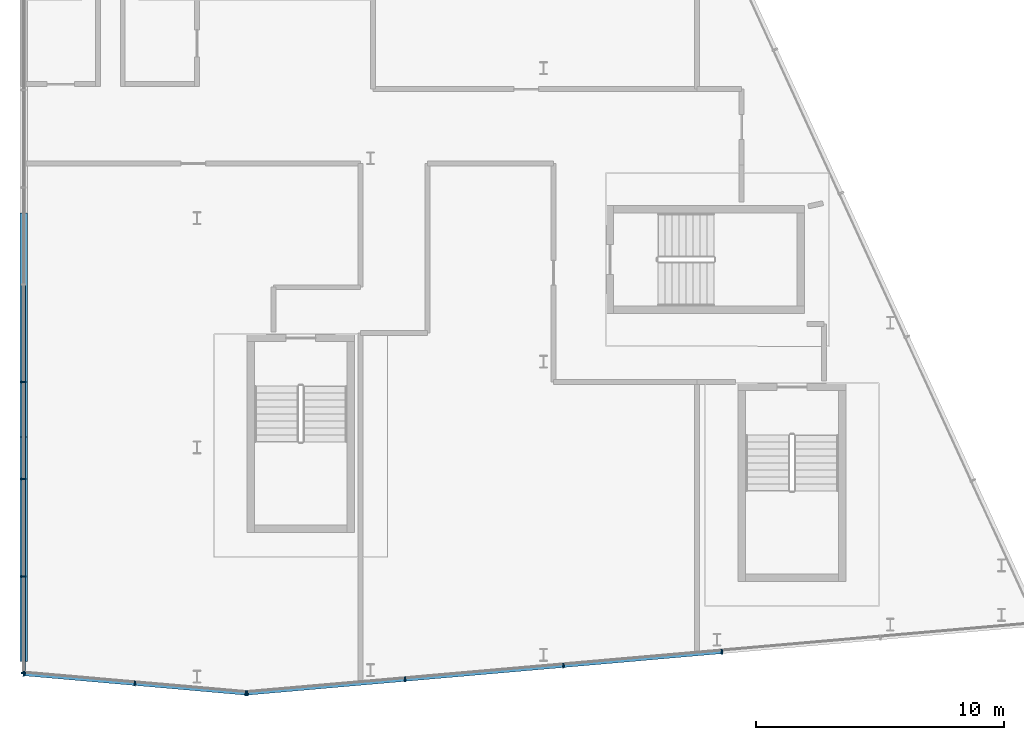
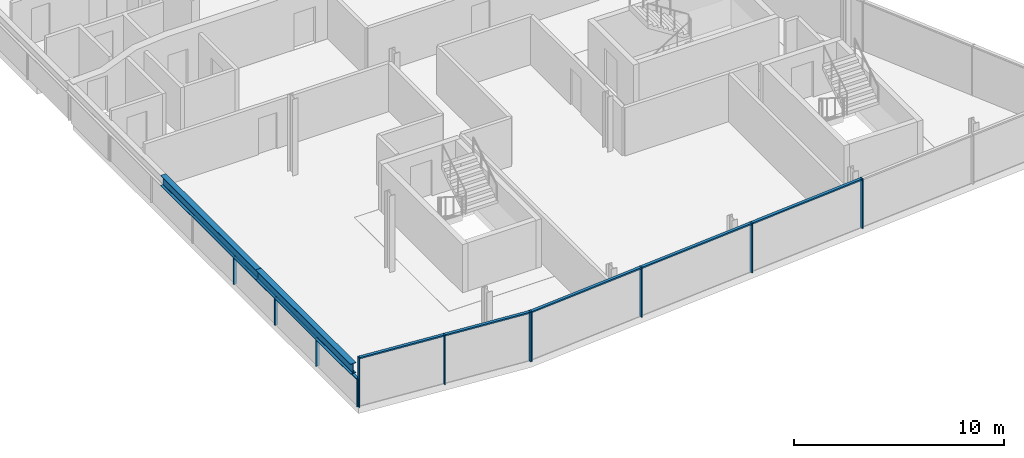
# One storey, part 2 of 10: 20 members, 2 beams, 3 elements without a shape of their own.
"""IFC4 building model written with IfcOpenShell, lengths in metres."""

from ifc_helpers import new_model, si_unit, direction, frame, origin, origin_2d, place, context, subcontext, project, spatial, rectangle, i_section, extrude, material, material_profile, profile_set, type_object, element, aggregate, save


model = new_model("IFC4")

# Units and contexts
model_context = context("Model", 3, precision=1e-05, world=origin(), true_north=direction((0.0, 1.0)))
body_context = subcontext(model_context, "Body", "Model", "MODEL_VIEW")
ifc_project = project(units=[si_unit("LENGTHUNIT", "METRE"), si_unit("AREAUNIT", "SQUARE_METRE"), si_unit("VOLUMEUNIT", "CUBIC_METRE"), si_unit("PLANEANGLEUNIT", "RADIAN"), si_unit("MASSUNIT", "GRAM", prefix="KILO")], contexts=[model_context])

# Site, building, storey
site_placement = place(None, origin())
site = spatial("IfcSite", under=ifc_project, at=site_placement, CompositionType="ELEMENT")
building_placement = place(site_placement, origin())
building = spatial("IfcBuilding", under=site, at=building_placement, Name="Wharfspan Tower", CompositionType="ELEMENT")
storey_placement = place(building_placement, frame((0.0, 0.0, 267.5)))
storey = spatial("IfcBuildingStorey", under=building, at=storey_placement, Name="L68", CompositionType="ELEMENT", Elevation=267.5)

# Curtain wall, members
ifc_material_1 = material(Name="Aluminium 6063-T6", Category="aluminium")
curtain_wall_type_1 = type_object("IfcCurtainWallType", Name="CURTAIN WALL CROWN GABLE", PredefinedType="NOTDEFINED", material=ifc_material_1)
curtain_wall_1_placement = place(storey_placement, origin())
curtain_wall_1 = element("IfcCurtainWall", 1, at=curtain_wall_1_placement, inside=storey, type_object=curtain_wall_type_1, Name="Crown gable glazing", PredefinedType="NOTDEFINED")
ifc_material_profile_1 = material_profile(ifc_material_1, rectangle(XDim=0.179932, YDim=0.060059, at=origin_2d()))
ifc_profile_set_1 = profile_set([ifc_material_profile_1], Name="Aluminium 6063-T6")
member_type_1 = type_object("IfcMemberType", Name="MULLION CROWN GABLE 60x180", PredefinedType="MULLION", material=ifc_profile_set_1)
member_1_placement = place(storey_placement, frame((37.0, 6.817871, 0.0), z_axis=(0.0, 0.0, 1.0), x_axis=(-1.0, 0.0, 0.0)))
member_1 = element("IfcMember", 2, at=member_1_placement, type_object=member_type_1, Name="Crown gable glazing mullion 1", PredefinedType="MULLION", context=body_context, shape_type="SweptSolid", body=[
    extrude(rectangle(XDim=0.179932, YDim=0.060059, at=origin_2d()), origin(), (0.0, 0.0, 1.0), 1.616943),
])
member_2_placement = place(storey_placement, frame((37.0, 10.717285, 0.0), z_axis=(0.0, 0.0, 1.0), x_axis=(-1.0, 0.0, 0.0)))
member_2 = element("IfcMember", 3, at=member_2_placement, type_object=member_type_1, Name="Crown gable glazing mullion 2", PredefinedType="MULLION", context=body_context, shape_type="SweptSolid", body=[
    extrude(rectangle(XDim=0.179932, YDim=0.060059, at=origin_2d()), origin(), (0.0, 0.0, 1.0), 1.616943),
])
member_3_placement = place(storey_placement, frame((37.0, 14.646729, 0.0), z_axis=(0.0, 0.0, 1.0), x_axis=(-1.0, 0.0, 0.0)))
member_3 = element("IfcMember", 4, at=member_3_placement, type_object=member_type_1, Name="Crown gable glazing mullion 3", PredefinedType="MULLION", context=body_context, shape_type="SweptSolid", body=[
    extrude(rectangle(XDim=0.179932, YDim=0.060059, at=origin_2d()), origin(), (0.0, 0.0, 1.0), 1.616943),
])
member_4_placement = place(storey_placement, frame((37.0, 18.576172, 0.0), z_axis=(0.0, 0.0, 1.0), x_axis=(-1.0, 0.0, 0.0)))
member_4 = element("IfcMember", 5, at=member_4_placement, type_object=member_type_1, Name="Crown gable glazing mullion 4", PredefinedType="MULLION", context=body_context, shape_type="SweptSolid", body=[
    extrude(rectangle(XDim=0.179932, YDim=0.060059, at=origin_2d()), origin(), (0.0, 0.0, 1.0), 1.616943),
])

curtain_wall_type_2 = type_object("IfcCurtainWallType", Name="CURTAIN WALL FACETED FRONT", PredefinedType="NOTDEFINED", material=ifc_material_1)
curtain_wall_2_placement = place(storey_placement, origin())
curtain_wall_2 = element("IfcCurtainWall", 6, at=curtain_wall_2_placement, inside=storey, type_object=curtain_wall_type_2, Name="Crown curtain wall S1", PredefinedType="NOTDEFINED")
ifc_material_profile_2 = material_profile(ifc_material_1, rectangle(XDim=0.199951, YDim=0.060059, at=origin_2d()))
ifc_profile_set_2 = profile_set([ifc_material_profile_2], Name="Aluminium 6063-T6")
member_type_2 = type_object("IfcMemberType", Name="MULLION FACETED FRONT 60x200", PredefinedType="MULLION", material=ifc_profile_set_2)
member_5_placement = place(storey_placement, frame((37.009766, 6.786865, 0.0), z_axis=(0.0, 0.0, 1.0), x_axis=(0.087156, 0.996198, 0.0)))
member_5 = element("IfcMember", 7, at=member_5_placement, type_object=member_type_2, Name="Crown curtain wall S1 mullion 1", PredefinedType="MULLION", context=body_context, shape_type="SweptSolid", body=[
    extrude(rectangle(XDim=0.199951, YDim=0.060059, at=origin_2d()), origin(), (0.0, 0.0, 1.0), 2.892578),
])
member_6_placement = place(storey_placement, frame((41.48999, 6.39502, 0.0), z_axis=(0.0, 0.0, 1.0), x_axis=(0.087156, 0.996198, 0.0)))
member_6 = element("IfcMember", 8, at=member_6_placement, type_object=member_type_2, Name="Crown curtain wall S1 mullion 2", PredefinedType="MULLION", context=body_context, shape_type="SweptSolid", body=[
    extrude(rectangle(XDim=0.199951, YDim=0.060059, at=origin_2d()), origin(), (0.0, 0.0, 1.0), 2.892578),
])
member_7_placement = place(storey_placement, frame((45.970215, 6.00293, 0.0), z_axis=(0.0, 0.0, 1.0), x_axis=(0.087156, 0.996198, 0.0)))
member_7 = element("IfcMember", 9, at=member_7_placement, type_object=member_type_2, Name="Crown curtain wall S1 mullion 3", PredefinedType="MULLION", context=body_context, shape_type="SweptSolid", body=[
    extrude(rectangle(XDim=0.199951, YDim=0.060059, at=origin_2d()), origin(), (0.0, 0.0, 1.0), 2.892578),
])

curtain_wall_3_placement = place(storey_placement, origin())
curtain_wall_3 = element("IfcCurtainWall", 10, at=curtain_wall_3_placement, inside=storey, type_object=curtain_wall_type_2, Name="Crown curtain wall S2", PredefinedType="NOTDEFINED")
member_8_placement = place(storey_placement, frame((46.029785, 6.00293, 0.0), z_axis=(0.0, 0.0, 1.0), x_axis=(-0.087156, 0.996198, 0.0)))
member_8 = element("IfcMember", 11, at=member_8_placement, type_object=member_type_2, Name="Crown curtain wall S2 mullion 1", PredefinedType="MULLION", context=body_context, shape_type="SweptSolid", body=[
    extrude(rectangle(XDim=0.199951, YDim=0.060059, at=origin_2d()), origin(), (0.0, 0.0, 1.0), 2.892578),
])
member_9_placement = place(storey_placement, frame((52.399902, 6.560303, 0.0), z_axis=(0.0, 0.0, 1.0), x_axis=(-0.087156, 0.996198, 0.0)))
member_9 = element("IfcMember", 12, at=member_9_placement, type_object=member_type_2, Name="Crown curtain wall S2 mullion 2", PredefinedType="MULLION", context=body_context, shape_type="SweptSolid", body=[
    extrude(rectangle(XDim=0.199951, YDim=0.060059, at=origin_2d()), origin(), (0.0, 0.0, 1.0), 2.892578),
])
member_10_placement = place(storey_placement, frame((58.800049, 7.120117, 0.0), z_axis=(0.0, 0.0, 1.0), x_axis=(-0.087156, 0.996198, 0.0)))
member_10 = element("IfcMember", 13, at=member_10_placement, type_object=member_type_2, Name="Crown curtain wall S2 mullion 3", PredefinedType="MULLION", context=body_context, shape_type="SweptSolid", body=[
    extrude(rectangle(XDim=0.199951, YDim=0.060059, at=origin_2d()), origin(), (0.0, 0.0, 1.0), 2.892578),
])
member_11_placement = place(storey_placement, frame((65.199951, 7.680176, 0.0), z_axis=(0.0, 0.0, 1.0), x_axis=(-0.087156, 0.996198, 0.0)))
member_11 = element("IfcMember", 14, at=member_11_placement, type_object=member_type_2, Name="Crown curtain wall S2 mullion 4", PredefinedType="MULLION", context=body_context, shape_type="SweptSolid", body=[
    extrude(rectangle(XDim=0.199951, YDim=0.060059, at=origin_2d()), origin(), (0.0, 0.0, 1.0), 2.892578),
])

# Beams
ifc_material_2 = material(Name="Steel S355J2", Category="steel")
ifc_material_profile_3 = material_profile(ifc_material_2, i_section(OverallWidth=0.300049, OverallDepth=0.600098, WebThickness=0.015381, FlangeThickness=0.030029, FilletRadius=0.0271, at=origin_2d()))
ifc_profile_set_3 = profile_set([ifc_material_profile_3], Name="Steel S355J2")
beam_type = type_object("IfcBeamType", Name="Roof girder HEB 600", PredefinedType="BEAM", material=ifc_profile_set_3)
beam_1_placement = place(storey_placement, frame((37.0, 7.287842, 1.921875), z_axis=(0.0, 1.0, 0.0), x_axis=(-1.0, 0.0, 0.0)))
element("IfcBeam", 15, at=beam_1_placement, inside=storey, type_object=beam_type, Name="Roof girder G3 7 to 16", PredefinedType="BEAM", context=body_context, shape_type="SweptSolid", body=[
    extrude(i_section(OverallWidth=0.300049, OverallDepth=0.600098, WebThickness=0.015381, FlangeThickness=0.030029, FilletRadius=0.0271, at=origin_2d()), origin(), (0.0, 0.0, 1.0), 9.053955),
])
beam_2_placement = place(storey_placement, frame((37.0, 16.341797, 1.921875), z_axis=(0.0, 1.0, 0.0), x_axis=(-1.0, 0.0, 0.0)))
element("IfcBeam", 16, at=beam_2_placement, inside=storey, type_object=beam_type, Name="Roof girder G3 16 to 25", PredefinedType="BEAM", context=body_context, shape_type="SweptSolid", body=[
    extrude(i_section(OverallWidth=0.300049, OverallDepth=0.600098, WebThickness=0.015381, FlangeThickness=0.030029, FilletRadius=0.0271, at=origin_2d()), origin(), (0.0, 0.0, 1.0), 9.054199),
])

# Member
ifc_material_profile_4 = material_profile(ifc_material_1, rectangle(XDim=0.139893, YDim=0.070068, at=origin_2d()))
ifc_profile_set_4 = profile_set([ifc_material_profile_4], Name="Aluminium 6063-T6")
member_type_3 = type_object("IfcMemberType", Name="TRANSOM CROWN GABLE 70x140", PredefinedType="USERDEFINED", material=ifc_profile_set_4)
member_12_placement = place(storey_placement, frame((37.0, 6.847656, 1.582031), z_axis=(0.0, 1.0, 0.0), x_axis=(-1.0, 0.0, 0.0)))
member_12 = element("IfcMember", 17, at=member_12_placement, type_object=member_type_3, Name="Crown gable glazing transom 1", ObjectType="TRANSOM", PredefinedType="USERDEFINED", context=body_context, shape_type="SweptSolid", body=[
    extrude(rectangle(XDim=0.139893, YDim=0.070068, at=origin_2d()), origin(), (0.0, 0.0, 1.0), 3.8396),
])

member_13_placement = place(storey_placement, frame((37.0, 10.747314, 1.582031), z_axis=(0.0, 1.0, 0.0), x_axis=(-1.0, 0.0, 0.0)))
member_13 = element("IfcMember", 18, at=member_13_placement, type_object=member_type_3, Name="Crown gable glazing transom 2", ObjectType="TRANSOM", PredefinedType="USERDEFINED", context=body_context, shape_type="SweptSolid", body=[
    extrude(rectangle(XDim=0.139893, YDim=0.070068, at=origin_2d()), origin(), (0.0, 0.0, 1.0), 3.869385),
])

member_14_placement = place(storey_placement, frame((37.0, 14.676758, 1.582031), z_axis=(0.0, 1.0, 0.0), x_axis=(-1.0, 0.0, 0.0)))
member_14 = element("IfcMember", 19, at=member_14_placement, type_object=member_type_3, Name="Crown gable glazing transom 3", ObjectType="TRANSOM", PredefinedType="USERDEFINED", context=body_context, shape_type="SweptSolid", body=[
    extrude(rectangle(XDim=0.139893, YDim=0.070068, at=origin_2d()), origin(), (0.0, 0.0, 1.0), 3.869385),
])

member_15_placement = place(storey_placement, frame((37.0, 18.606201, 1.582031), z_axis=(0.0, 1.0, 0.0), x_axis=(-1.0, 0.0, 0.0)))
member_15 = element("IfcMember", 20, at=member_15_placement, type_object=member_type_3, Name="Crown gable glazing transom 4", ObjectType="TRANSOM", PredefinedType="USERDEFINED", context=body_context, shape_type="SweptSolid", body=[
    extrude(rectangle(XDim=0.139893, YDim=0.070068, at=origin_2d()), origin(), (0.0, 0.0, 1.0), 3.869629),
])

aggregate(curtain_wall_1, [member_1, member_2, member_3, member_4, member_12, member_13, member_14, member_15])

ifc_material_profile_5 = material_profile(ifc_material_1, rectangle(XDim=0.159912, YDim=0.080078, at=origin_2d()))
ifc_profile_set_5 = profile_set([ifc_material_profile_5], Name="Aluminium 6063-T6")
member_type_4 = type_object("IfcMemberType", Name="TRANSOM FACETED FRONT 80x160", PredefinedType="USERDEFINED", material=ifc_profile_set_5)
member_16_placement = place(storey_placement, frame((37.039795, 6.78418, 2.852539), z_axis=(0.996195, -0.087152, 0.0), x_axis=(0.087152, 0.996195, 0.0)))
member_16 = element("IfcMember", 21, at=member_16_placement, type_object=member_type_4, Name="Crown curtain wall S1 transom 1", ObjectType="TRANSOM", PredefinedType="USERDEFINED", context=body_context, shape_type="SweptSolid", body=[
    extrude(rectangle(XDim=0.159912, YDim=0.080078, at=origin_2d()), origin(), (0.0, 0.0, 1.0), 4.437256),
])

member_17_placement = place(storey_placement, frame((41.519775, 6.392334, 2.852539), z_axis=(0.996195, -0.087152, 0.0), x_axis=(0.087152, 0.996195, 0.0)))
member_17 = element("IfcMember", 22, at=member_17_placement, type_object=member_type_4, Name="Crown curtain wall S1 transom 2", ObjectType="TRANSOM", PredefinedType="USERDEFINED", context=body_context, shape_type="SweptSolid", body=[
    extrude(rectangle(XDim=0.159912, YDim=0.080078, at=origin_2d()), origin(), (0.0, 0.0, 1.0), 4.437256),
])

aggregate(curtain_wall_2, [member_5, member_6, member_7, member_16, member_17])

member_18_placement = place(storey_placement, frame((46.059814, 6.005615, 2.852539), z_axis=(0.996196, 0.087144, 0.0), x_axis=(-0.087144, 0.996196, 0.0)))
member_18 = element("IfcMember", 23, at=member_18_placement, type_object=member_type_4, Name="Crown curtain wall S2 transom 1", ObjectType="TRANSOM", PredefinedType="USERDEFINED", context=body_context, shape_type="SweptSolid", body=[
    extrude(rectangle(XDim=0.159912, YDim=0.080078, at=origin_2d()), origin(), (0.0, 0.0, 1.0), 6.334473),
])

member_19_placement = place(storey_placement, frame((52.429932, 6.562988, 2.852539), z_axis=(0.996195, 0.087156, 0.0), x_axis=(-0.087156, 0.996195, 0.0)))
member_19 = element("IfcMember", 24, at=member_19_placement, type_object=member_type_4, Name="Crown curtain wall S2 transom 2", ObjectType="TRANSOM", PredefinedType="USERDEFINED", context=body_context, shape_type="SweptSolid", body=[
    extrude(rectangle(XDim=0.159912, YDim=0.080078, at=origin_2d()), origin(), (0.0, 0.0, 1.0), 6.364258),
])

member_20_placement = place(storey_placement, frame((58.829834, 7.122803, 2.852539), z_axis=(0.996195, 0.087153, 0.0), x_axis=(-0.087153, 0.996195, 0.0)))
member_20 = element("IfcMember", 25, at=member_20_placement, type_object=member_type_4, Name="Crown curtain wall S2 transom 3", ObjectType="TRANSOM", PredefinedType="USERDEFINED", context=body_context, shape_type="SweptSolid", body=[
    extrude(rectangle(XDim=0.159912, YDim=0.080078, at=origin_2d()), origin(), (0.0, 0.0, 1.0), 6.364502),
])

aggregate(curtain_wall_3, [member_8, member_9, member_10, member_11, member_18, member_19, member_20])

save(model, "model.ifc")
